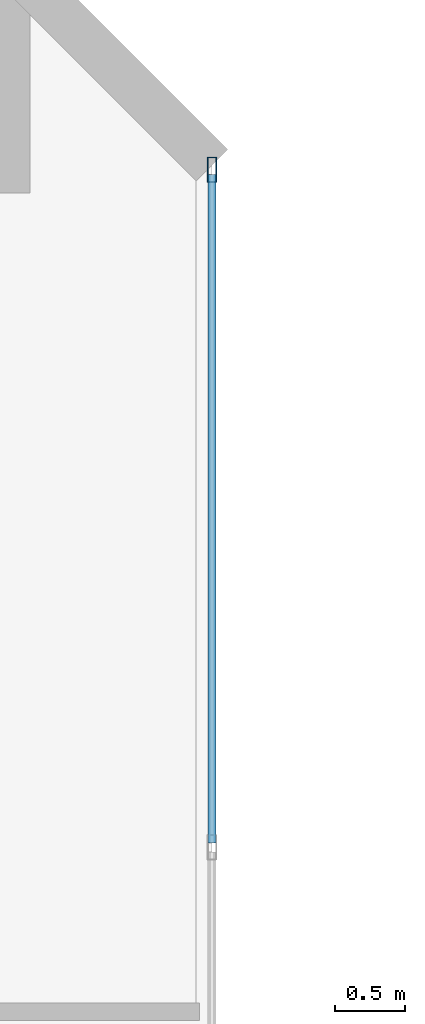
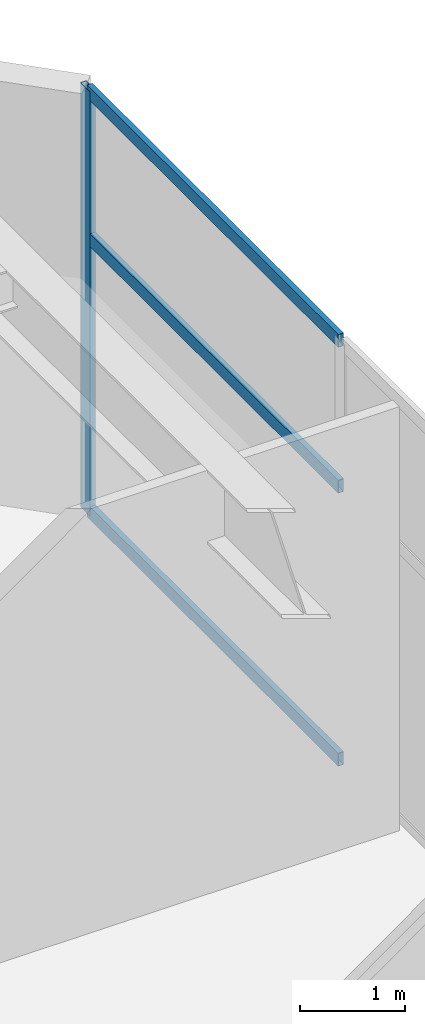
# One storey, part 12 of 22: 4 members, 1 element without a shape of its own.
"""IFC4 building model written with IfcOpenShell, lengths in metres."""

from ifc_helpers import new_model, si_unit, direction, frame, origin, origin_2d, place, context, subcontext, project, spatial, hollow_rectangle, extrude, material, layer, layer_set, material_profile, profile_set, type_object, element, aggregate, save


model = new_model("IFC4")

# Units and contexts
model_context = context("Model", 3, precision=1e-05, world=origin(), true_north=direction((0.0, 1.0)))
body_context = subcontext(model_context, "Body", "Model", "MODEL_VIEW")
ifc_project = project(units=[si_unit("LENGTHUNIT", "METRE"), si_unit("AREAUNIT", "SQUARE_METRE"), si_unit("VOLUMEUNIT", "CUBIC_METRE"), si_unit("PLANEANGLEUNIT", "RADIAN"), si_unit("MASSUNIT", "GRAM", prefix="KILO")], contexts=[model_context])

# Site, building, storey
site_placement = place(None, origin())
site = spatial("IfcSite", under=ifc_project, at=site_placement, CompositionType="ELEMENT")
building_placement = place(site_placement, origin())
building = spatial("IfcBuilding", under=site, at=building_placement, Name="Mawjaban Terraces University", CompositionType="ELEMENT")
storey_placement = place(building_placement, frame((0.0, 0.0, 10.39990234375)))
storey = spatial("IfcBuildingStorey", under=building, at=storey_placement, Name="L02", CompositionType="ELEMENT", Elevation=10.39990234375)

# Curtain wall, members
ifc_material_1 = material(Name="Anodised aluminium 6063-T6 and solar-control low-E glass", Category="aluminium")
ifc_layer = layer(ifc_material_1, 0.179931640625)
ifc_layer_set = layer_set([ifc_layer], Name="Anodised aluminium 6063-T6 and solar-control low-E glass")
curtain_wall_type = type_object("IfcCurtainWallType", Name="CWSystem_01_PlazaFoyer", PredefinedType="NOTDEFINED", material=ifc_layer_set)
curtain_wall_placement = place(storey_placement, origin())
curtain_wall = element("IfcCurtainWall", 1, at=curtain_wall_placement, inside=storey, type_object=curtain_wall_type, Name="L02 Curtain Wall CW-01 Run 6.1", PredefinedType="NOTDEFINED")
ifc_material_2 = material(Name="Anodised aluminium 6063-T6", Category="aluminium")
ifc_material_profile_1 = material_profile(ifc_material_2, hollow_rectangle(XDim=0.06494140625, YDim=0.179931640625, WallThickness=0.00390625, at=origin_2d()), Name="ALU180X65X4")
ifc_profile_set_1 = profile_set([ifc_material_profile_1], Name="Anodised aluminium 6063-T6")
member_type_1 = type_object("IfcMemberType", Name="Mullion_CW-01", PredefinedType="MULLION", material=ifc_profile_set_1)
member_1_placement = place(storey_placement, frame((54.0, 51.467529296875, 0.0), z_axis=(0.0, 0.0, 1.0), x_axis=(-1.0, 0.0, 0.0)))
member_1 = element("IfcMember", 2, at=member_1_placement, type_object=member_type_1, Name="CW-01 mullion 5", PredefinedType="MULLION", context=body_context, shape_type="SweptSolid", body=[
    extrude(hollow_rectangle(XDim=0.06494140625, YDim=0.179931640625, WallThickness=0.00390625, at=origin_2d()), origin(), (0.0, 0.0, 1.0), 4.920166015625),
])
ifc_material_profile_2 = material_profile(ifc_material_2, hollow_rectangle(XDim=0.06005859375, YDim=0.14990234375, WallThickness=0.00390625, at=origin_2d()), Name="ALU150X60X4")
ifc_profile_set_2 = profile_set([ifc_material_profile_2], Name="Anodised aluminium 6063-T6")
member_type_2 = type_object("IfcMemberType", Name="Transom_CW-01", PredefinedType="NOTDEFINED", material=ifc_profile_set_2)
member_2_placement = place(storey_placement, frame((54.0, 46.657470703125, 0.030029296875), z_axis=(0.0, 1.0, 0.0), x_axis=(-1.0, 0.0, 0.0)))
member_2 = element("IfcMember", 3, at=member_2_placement, type_object=member_type_2, Name="CW-01 transom 4.1", ObjectType="TRANSOM", PredefinedType="USERDEFINED", context=body_context, shape_type="SweptSolid", body=[
    extrude(hollow_rectangle(XDim=0.06005859375, YDim=0.14990234375, WallThickness=0.00390625, at=origin_2d()), origin(), (0.0, 0.0, 1.0), 4.777587890625),
])
member_3_placement = place(storey_placement, frame((54.0, 46.657470703125, 3.197998046875), z_axis=(0.0, 1.0, 0.0), x_axis=(-1.0, 0.0, 0.0)))
member_3 = element("IfcMember", 4, at=member_3_placement, type_object=member_type_2, Name="CW-01 transom 4.2", ObjectType="TRANSOM", PredefinedType="USERDEFINED", context=body_context, shape_type="SweptSolid", body=[
    extrude(hollow_rectangle(XDim=0.06005859375, YDim=0.14990234375, WallThickness=0.00390625, at=origin_2d()), origin(), (0.0, 0.0, 1.0), 4.777587890625),
])
member_4_placement = place(storey_placement, frame((54.0, 46.657470703125, 4.89013671875), z_axis=(0.0, 1.0, 0.0), x_axis=(-1.0, 0.0, 0.0)))
member_4 = element("IfcMember", 5, at=member_4_placement, type_object=member_type_2, Name="CW-01 transom 4.3", ObjectType="TRANSOM", PredefinedType="USERDEFINED", context=body_context, shape_type="SweptSolid", body=[
    extrude(hollow_rectangle(XDim=0.06005859375, YDim=0.14990234375, WallThickness=0.00390625, at=origin_2d()), origin(), (0.0, 0.0, 1.0), 4.777587890625),
])
aggregate(curtain_wall, [member_1, member_2, member_3, member_4])

save(model, "model.ifc")
